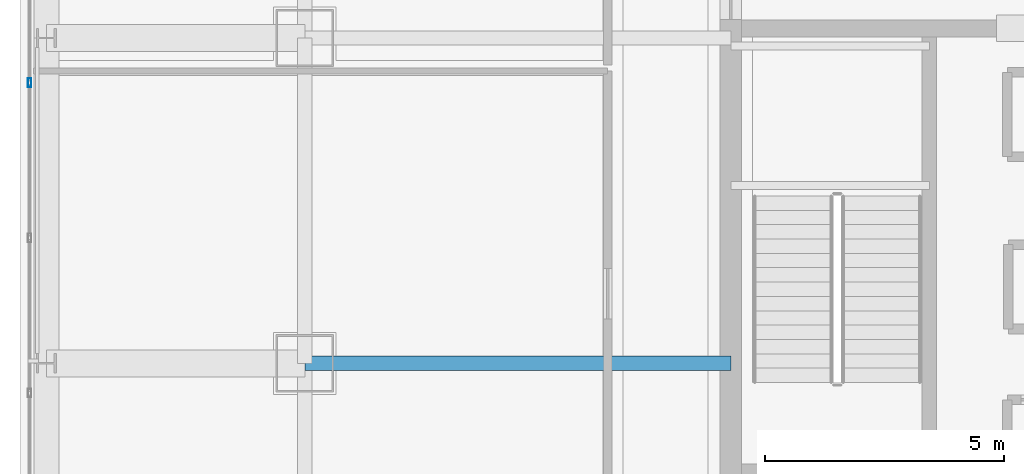
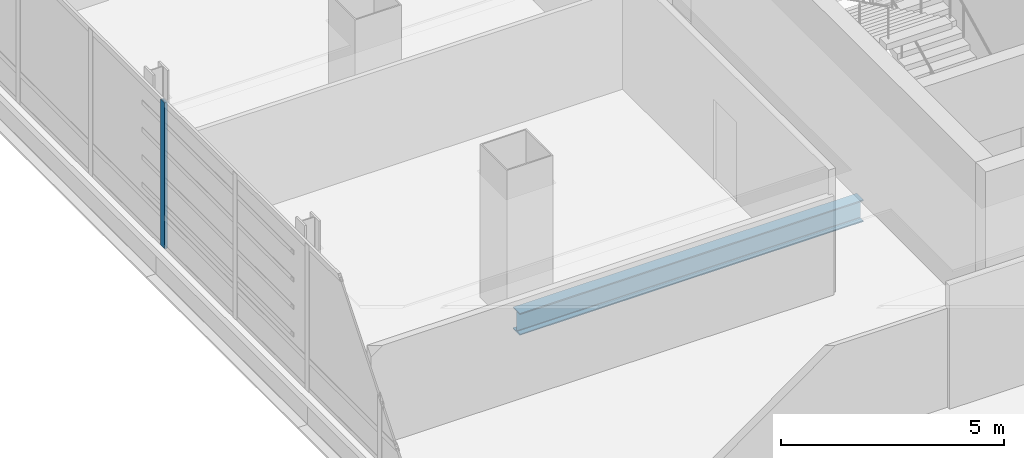
# One storey, part 13 of 43: 1 beam, 1 member, 1 element without a shape of its own.
"""IFC4 building model written with IfcOpenShell, lengths in metres."""

from ifc_helpers import new_model, si_unit, direction, frame, origin, origin_2d, place, context, subcontext, project, spatial, hollow_rectangle, i_section, extrude, material, material_profile, profile_set, type_object, element, aggregate, save


model = new_model("IFC4")

# Units and contexts
model_context = context("Model", 3, precision=1e-05, world=origin(), true_north=direction((0.0, 1.0)))
body_context = subcontext(model_context, "Body", "Model", "MODEL_VIEW")
ifc_project = project(units=[si_unit("LENGTHUNIT", "METRE"), si_unit("AREAUNIT", "SQUARE_METRE"), si_unit("VOLUMEUNIT", "CUBIC_METRE"), si_unit("PLANEANGLEUNIT", "RADIAN"), si_unit("MASSUNIT", "GRAM", prefix="KILO")], contexts=[model_context])

# Site, building, storey
site_placement = place(None, origin())
site = spatial("IfcSite", under=ifc_project, at=site_placement, CompositionType="ELEMENT")
building_placement = place(site_placement, origin())
building = spatial("IfcBuilding", under=site, at=building_placement, Name="Punatoya Terracotta Tower", CompositionType="ELEMENT")
storey_placement = place(building_placement, frame((0.0, 0.0, 321.60009765625)))
storey = spatial("IfcBuildingStorey", under=building, at=storey_placement, Name="L76", CompositionType="ELEMENT", Elevation=321.60009765625)

# Beam
ifc_material_1 = material(Name="Steel S355", Category="steel")
ifc_material_profile_1 = material_profile(ifc_material_1, i_section(OverallWidth=0.300048828125, OverallDepth=0.60009765625, WebThickness=0.015380859375, FlangeThickness=0.030029296875, FilletRadius=0.01806640625, at=origin_2d()))
ifc_profile_set_1 = profile_set([ifc_material_profile_1], Name="Steel S355")
beam_type = type_object("IfcBeamType", Name="BM-PRI-600", PredefinedType="BEAM", material=ifc_profile_set_1)
beam_placement = place(storey_placement, frame((-19.10009765625, -3.39990234375, -0.5), z_axis=(1.0, 0.0, 0.0), x_axis=(0.0, 1.0, 0.0)))
element("IfcBeam", 1, at=beam_placement, inside=storey, type_object=beam_type, Name="BM-L76-PR-WD", PredefinedType="BEAM", context=body_context, shape_type="SweptSolid", body=[
    extrude(i_section(OverallWidth=0.300048828125, OverallDepth=0.60009765625, WebThickness=0.015380859375, FlangeThickness=0.030029296875, FilletRadius=0.01806640625, at=origin_2d()), origin(), (0.0, 0.0, 1.0), 8.900146484375),
])

# Curtain wall, member
ifc_material_2 = material(Name="Aluminium 6063-T6 + Double Low-E Glass", Category="aluminium")
curtain_wall_type = type_object("IfcCurtainWallType", Name="CW-OBS", PredefinedType="NOTDEFINED", material=ifc_material_2)
curtain_wall_placement = place(storey_placement, origin())
curtain_wall = element("IfcCurtainWall", 2, at=curtain_wall_placement, inside=storey, type_object=curtain_wall_type, Name="L76 Curtain Wall CW-L76-W13-1", PredefinedType="NOTDEFINED")
ifc_material_3 = material(Name="Aluminium 6063-T6", Category="aluminium")
ifc_material_profile_2 = material_profile(ifc_material_3, hollow_rectangle(XDim=0.070068359375, YDim=0.179931640625, WallThickness=0.00390625, at=origin_2d()))
ifc_profile_set_2 = profile_set([ifc_material_profile_2], Name="Aluminium 6063-T6")
member_type = type_object("IfcMemberType", Name="CW-MUL-M3", PredefinedType="MULLION", material=ifc_profile_set_2)
member_placement = place(storey_placement, frame((-24.85009765625, 2.464599609375, 0.0), z_axis=(0.0, 0.0, 1.0), x_axis=(1.0, 0.0, 0.0)))
member = element("IfcMember", 3, at=member_placement, type_object=member_type, Name="CW-L76-W13-1 Mullion 04", PredefinedType="MULLION", context=body_context, shape_type="SweptSolid", body=[
    extrude(hollow_rectangle(XDim=0.070068359375, YDim=0.179931640625, WallThickness=0.00390625, at=origin_2d()), origin(), (0.0, 0.0, 1.0), 4.0),
])
aggregate(curtain_wall, [member])

save(model, "model.ifc")
